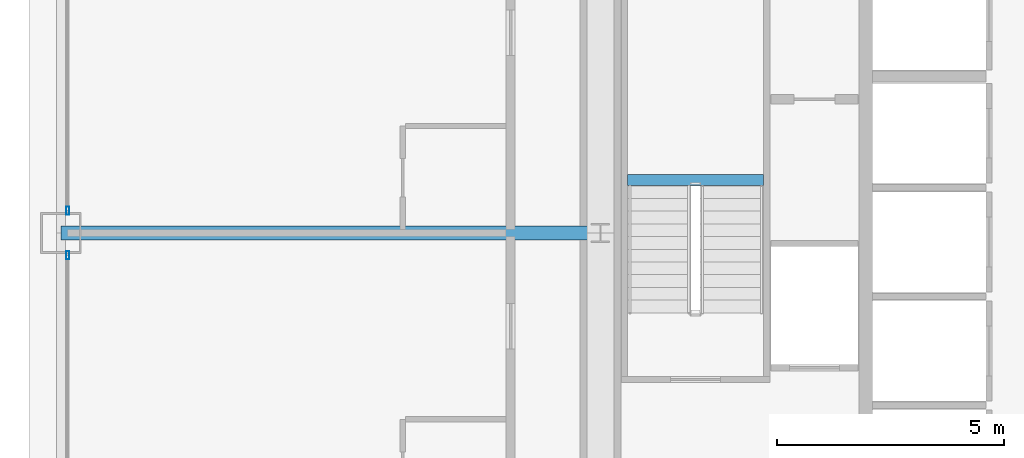
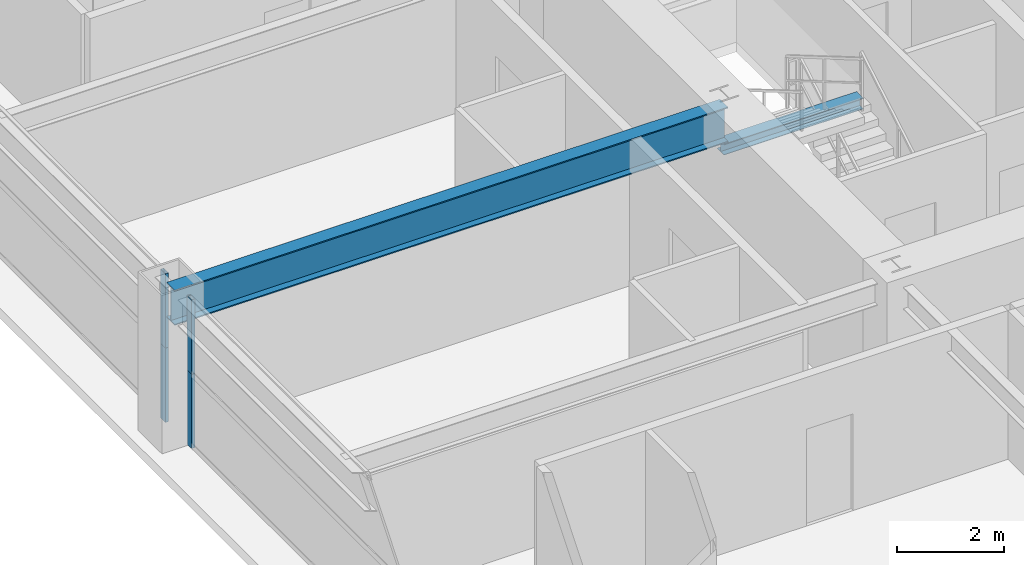
# One storey, part 12 of 45: 4 members, 2 beams, 2 elements without a shape of their own.
"""IFC4 building model written with IfcOpenShell, lengths in metres."""

from ifc_helpers import new_model, si_unit, direction, frame, origin, origin_2d, place, context, subcontext, project, spatial, hollow_rectangle, i_section, extrude, source, transform, mapped, material, layer, layer_set, material_profile, profile_set, type_object, element, aggregate, save


model = new_model("IFC4")

# Units and contexts
model_context = context("Model", 3, precision=1e-05, world=origin(), true_north=direction((0.0, 1.0)))
body_context = subcontext(model_context, "Body", "Model", "MODEL_VIEW")
ifc_project = project(units=[si_unit("LENGTHUNIT", "METRE"), si_unit("AREAUNIT", "SQUARE_METRE"), si_unit("VOLUMEUNIT", "CUBIC_METRE"), si_unit("PLANEANGLEUNIT", "RADIAN"), si_unit("MASSUNIT", "GRAM", prefix="KILO"), si_unit("THERMODYNAMICTEMPERATUREUNIT", "KELVIN"), si_unit("POWERUNIT", "WATT")], contexts=[model_context])

# Site, building, storey
site_placement = place(None, origin())
site = spatial("IfcSite", under=ifc_project, at=site_placement, CompositionType="ELEMENT")
building_placement = place(site_placement, origin())
building = spatial("IfcBuilding", under=site, at=building_placement, Name="Yuzanri Waterfront Tower", CompositionType="ELEMENT")
storey_placement = place(building_placement, frame((0.0, 0.0, 49.60009765625)))
storey = spatial("IfcBuildingStorey", under=building, at=storey_placement, Name="L12", CompositionType="ELEMENT", Elevation=49.60009765625)

# Beam
ifc_material_1 = material(Name="Steel Q355B", Category="steel")
ifc_material_profile_1 = material_profile(ifc_material_1, i_section(OverallWidth=0.300048828125, OverallDepth=0.800048828125, WebThickness=0.013916015625, FlangeThickness=0.02587890625, at=origin_2d()), Name="HN 800x300x14x26")
ifc_profile_set_1 = profile_set([ifc_material_profile_1], Name="Steel Q355B")
beam_type_1 = type_object("IfcBeamType", Name="Primary Floor Girder Q355B HN 800x300", PredefinedType="BEAM", material=ifc_profile_set_1)
shared_shape_1 = source(origin(), body_context, "Body", "SweptSolid", [
    extrude(i_section(OverallWidth=0.300048828125, OverallDepth=0.800048828125, WebThickness=0.013916015625, FlangeThickness=0.02587890625, at=origin_2d()), origin(), (0.0, 0.0, 1.0), 11.900146484375),
])
beam_1_placement = place(storey_placement, frame((23.800048828125, 25.800048828125, 2.97998046875), z_axis=(-1.0, 0.0, 0.0), x_axis=(0.0, -1.0, 0.0)))
element("IfcBeam", 1, at=beam_1_placement, inside=storey, type_object=beam_type_1, Name="L12 West Grid Girder", PredefinedType="BEAM", context=body_context, shape_type="MappedRepresentation", body=[
    mapped(shared_shape_1, transform((0.0, 0.0, 0.0), scale=1.0)),
])

# Curtain wall, members
ifc_material_2 = material(Name="Anodized Architectural Bronze", Category="metal")
ifc_layer = layer(ifc_material_2, 0.159912109375)
ifc_layer_set = layer_set([ifc_layer], Name="Anodized Architectural Bronze")
curtain_wall_type = type_object("IfcCurtainWallType", Name="Anodized Bronze Hotel Lower-Tier Recessed Unitized Curtain Wall 8100", PredefinedType="NOTDEFINED", material=ifc_layer_set)
curtain_wall_1_placement = place(storey_placement, origin())
curtain_wall_1 = element("IfcCurtainWall", 2, at=curtain_wall_1_placement, inside=storey, type_object=curtain_wall_type, Name="L12 Curtain Wall CW-L12-WL", PredefinedType="NOTDEFINED")
ifc_material_3 = material(Name="Anodized Architectural Bronze", Category="metal")
ifc_material_profile_2 = material_profile(ifc_material_3, hollow_rectangle(XDim=0.070068359375, YDim=0.179931640625, WallThickness=0.00390625, at=origin_2d()), Name="CWM 70x180")
ifc_profile_set_2 = profile_set([ifc_material_profile_2], Name="Anodized Architectural Bronze")
member_type = type_object("IfcMemberType", Name="Anodized Bronze Standard Curtain-Wall Mullion 70x180", PredefinedType="MULLION", material=ifc_profile_set_2)
shared_shape_2 = source(origin(), body_context, "Body", "SweptSolid", [
    extrude(hollow_rectangle(XDim=0.070068359375, YDim=0.179931640625, WallThickness=0.00390625, at=origin_2d()), origin(), (0.0, 0.0, 1.0), 1.68798828125),
])
member_1_placement = place(storey_placement, frame((12.050048828125, 25.31005859375, 0.0), z_axis=(0.0, 0.0, 1.0), x_axis=(1.0, 0.0, 0.0)))
member_1 = element("IfcMember", 3, at=member_1_placement, type_object=member_type, Name="CW-L12-WL Lower Mullion 02", PredefinedType="MULLION", context=body_context, shape_type="MappedRepresentation", body=[
    mapped(shared_shape_2, transform((0.0, 0.0, 0.0), scale=1.0)),
])
member_2_placement = place(storey_placement, frame((12.050048828125, 25.31005859375, 1.69189453125), z_axis=(0.0, 0.0, 1.0), x_axis=(1.0, 0.0, 0.0)))
member_2 = element("IfcMember", 4, at=member_2_placement, type_object=member_type, Name="CW-L12-WL Upper Mullion 02", PredefinedType="MULLION", context=body_context, shape_type="MappedRepresentation", body=[
    mapped(shared_shape_2, transform((0.0, 0.0, 0.0), scale=1.0)),
])
aggregate(curtain_wall_1, [member_1, member_2])

curtain_wall_2_placement = place(storey_placement, origin())
curtain_wall_2 = element("IfcCurtainWall", 5, at=curtain_wall_2_placement, inside=storey, type_object=curtain_wall_type, Name="L12 Curtain Wall CW-L12-WR", PredefinedType="NOTDEFINED")
member_3_placement = place(storey_placement, frame((12.050048828125, 26.2900390625, 0.0), z_axis=(0.0, 0.0, 1.0), x_axis=(1.0, 0.0, 0.0)))
member_3 = element("IfcMember", 6, at=member_3_placement, type_object=member_type, Name="CW-L12-WR Lower Mullion 00", PredefinedType="MULLION", context=body_context, shape_type="MappedRepresentation", body=[
    mapped(shared_shape_2, transform((0.0, 0.0, 0.0), scale=1.0)),
])
member_4_placement = place(storey_placement, frame((12.050048828125, 26.2900390625, 1.69189453125), z_axis=(0.0, 0.0, 1.0), x_axis=(1.0, 0.0, 0.0)))
member_4 = element("IfcMember", 7, at=member_4_placement, type_object=member_type, Name="CW-L12-WR Upper Mullion 00", PredefinedType="MULLION", context=body_context, shape_type="MappedRepresentation", body=[
    mapped(shared_shape_2, transform((0.0, 0.0, 0.0), scale=1.0)),
])
aggregate(curtain_wall_2, [member_3, member_4])

# Beam
ifc_material_4 = material(Name="Steel Q355B", Category="steel")
ifc_material_profile_3 = material_profile(ifc_material_4, i_section(OverallWidth=0.25, OverallDepth=0.25, WebThickness=0.009033203125, FlangeThickness=0.013916015625, at=origin_2d()), Name="HW 250x250x9x14")
ifc_profile_set_3 = profile_set([ifc_material_profile_3], Name="Steel Q355B")
beam_type_2 = type_object("IfcBeamType", Name="Stair Landing Support Beam Q355B HW 250x250", PredefinedType="BEAM", material=ifc_profile_set_3)
shared_shape_3 = source(origin(), body_context, "Body", "SweptSolid", [
    extrude(i_section(OverallWidth=0.25, OverallDepth=0.25, WebThickness=0.009033203125, FlangeThickness=0.013916015625, at=origin_2d()), origin(), (0.0, 0.0, 1.0), 3.0),
])
beam_2_placement = place(storey_placement, frame((24.39990234375, 26.969970703125, 1.474853515625), z_axis=(1.0, 0.0, 0.0), x_axis=(0.0, 1.0, 0.0)))
element("IfcBeam", 8, at=beam_2_placement, inside=storey, type_object=beam_type_2, Name="L12 Stair Landing Support Beam ST-01-L12-L1-1", PredefinedType="BEAM", context=body_context, shape_type="MappedRepresentation", body=[
    mapped(shared_shape_3, transform((0.0, 0.0, 0.0), scale=1.0)),
])

save(model, "model.ifc")
